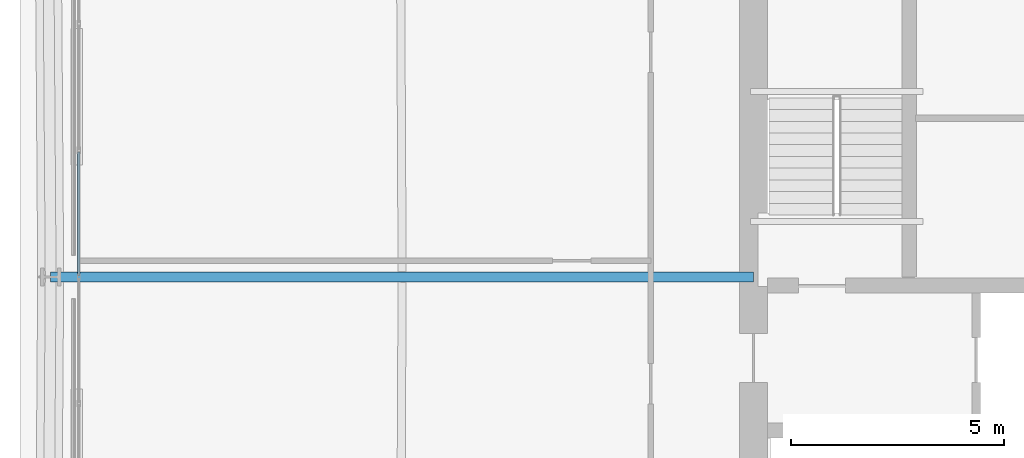
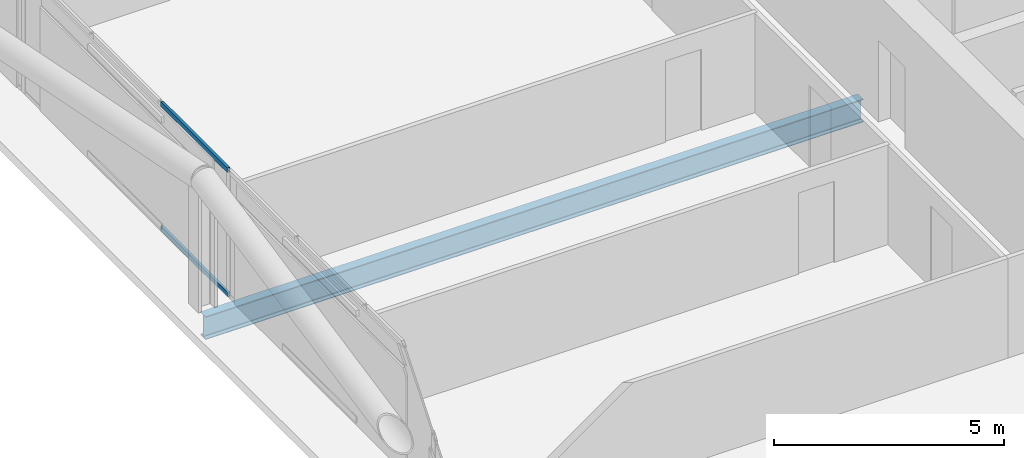
# One storey, part 14 of 50: 2 members, 1 beam, 1 element without a shape of its own.
"""IFC4 building model written with IfcOpenShell, lengths in metres."""

from ifc_helpers import new_model, si_unit, direction, frame, origin, origin_2d, place, context, subcontext, project, spatial, hollow_rectangle, i_section, extrude, material, layer, layer_set, material_profile, profile_set, type_object, element, aggregate, save


model = new_model("IFC4")

# Units and contexts
model_context = context("Model", 3, precision=1e-05, world=origin(), true_north=direction((0.0, 1.0)))
body_context = subcontext(model_context, "Body", "Model", "MODEL_VIEW")
ifc_project = project(units=[si_unit("LENGTHUNIT", "METRE"), si_unit("AREAUNIT", "SQUARE_METRE"), si_unit("VOLUMEUNIT", "CUBIC_METRE"), si_unit("PLANEANGLEUNIT", "RADIAN"), si_unit("MASSUNIT", "GRAM", prefix="KILO")], contexts=[model_context])

# Site, building, storey
site_placement = place(None, origin())
site = spatial("IfcSite", under=ifc_project, at=site_placement, CompositionType="ELEMENT")
building_placement = place(site_placement, origin())
building = spatial("IfcBuilding", under=site, at=building_placement, Name="Caelvoria Tower", CompositionType="ELEMENT")
storey_placement = place(building_placement, frame((0.0, 0.0, 71.199951171875)))
storey = spatial("IfcBuildingStorey", under=building, at=storey_placement, Name="L18", CompositionType="ELEMENT", Elevation=71.199951171875)

# Curtain wall, members
ifc_material_1 = material(Name="Anodised Bronze Aluminium and Low-E Glass", Category="aluminium")
ifc_layer = layer(ifc_material_1, 0.18505859375, Name="Anodised Bronze Aluminium and Low-E Glass")
ifc_layer_set = layer_set([ifc_layer], Name="CW System 2 Lower Tower Bronze Unitised Facade - Anodised Bronze Aluminium and Low-E Glass")
curtain_wall_type = type_object("IfcCurtainWallType", Name="CW System 2 Lower Tower Bronze Unitised Facade", PredefinedType="NOTDEFINED", material=ifc_layer_set)
curtain_wall_placement = place(storey_placement, origin())
curtain_wall = element("IfcCurtainWall", 1, at=curtain_wall_placement, inside=storey, type_object=curtain_wall_type, Name="CW-02 Curtain Wall L18-E6", PredefinedType="NOTDEFINED")
ifc_material_2 = material(Name="Anodised Bronze Architectural Aluminium", Category="aluminium")
ifc_material_profile_1 = material_profile(ifc_material_2, hollow_rectangle(XDim=0.06494140625, YDim=0.1298828125, WallThickness=0.00341796875, at=origin_2d()), Name="Anodised Bronze Architectural Aluminium")
ifc_profile_set_1 = profile_set([ifc_material_profile_1], Name="CW_TRAN_65X130 - Anodised Bronze Architectural Aluminium")
member_type = type_object("IfcMemberType", Name="Curtain Wall Transom 65x130 Bronze Aluminium", PredefinedType="USERDEFINED", material=ifc_profile_set_1)
member_1_placement = place(storey_placement, frame((21.179931640625, 34.93408203125, 0.032470703125), z_axis=(0.0, -1.0, 0.0), x_axis=(1.0, 0.0, 0.0)))
member_1 = element("IfcMember", 2, at=member_1_placement, type_object=member_type, Name="CW-02 transom 6.1", ObjectType="TRANSOM", PredefinedType="USERDEFINED", context=body_context, shape_type="SweptSolid", body=[
    extrude(hollow_rectangle(XDim=0.06494140625, YDim=0.1298828125, WallThickness=0.00341796875, at=origin_2d()), origin(), (0.0, 0.0, 1.0), 2.901611328125),
])
member_2_placement = place(storey_placement, frame((21.179931640625, 34.93408203125, 3.32763671875), z_axis=(0.0, -1.0, 0.0), x_axis=(1.0, 0.0, 0.0)))
member_2 = element("IfcMember", 3, at=member_2_placement, type_object=member_type, Name="CW-02 transom 6.2", ObjectType="TRANSOM", PredefinedType="USERDEFINED", context=body_context, shape_type="SweptSolid", body=[
    extrude(hollow_rectangle(XDim=0.06494140625, YDim=0.1298828125, WallThickness=0.00341796875, at=origin_2d()), origin(), (0.0, 0.0, 1.0), 2.901611328125),
])
aggregate(curtain_wall, [member_1, member_2])

# Beam
ifc_material_3 = material(Name="Structural Steel ASTM A992 Gr.50", Category="steel")
ifc_material_profile_2 = material_profile(ifc_material_3, i_section(OverallWidth=0.22900390625, OverallDepth=0.612060546875, WebThickness=0.011962890625, FlangeThickness=0.01953125, FilletRadius=0.01806640625, at=origin_2d()), Name="Structural Steel ASTM A992 Gr.50")
ifc_profile_set_2 = profile_set([ifc_material_profile_2], Name="W610X125 - Structural Steel ASTM A992 Gr.50")
beam_type = type_object("IfcBeamType", Name="Primary Radial Floor Girder W610X125", PredefinedType="BEAM", material=ifc_profile_set_2)
beam_placement = place(storey_placement, frame((37.0, 32.0, -0.5458984375), z_axis=(-1.0, 0.0, 0.0), x_axis=(0.0, -1.0, 0.0)))
element("IfcBeam", 4, at=beam_placement, inside=storey, type_object=beam_type, Name="Primary Floor Girder L18-10", PredefinedType="BEAM", context=body_context, shape_type="SweptSolid", body=[
    extrude(i_section(OverallWidth=0.22900390625, OverallDepth=0.612060546875, WebThickness=0.011962890625, FlangeThickness=0.01953125, FilletRadius=0.01806640625, at=origin_2d()), origin(), (0.0, 0.0, 1.0), 16.47998046875),
])

save(model, "model.ifc")
